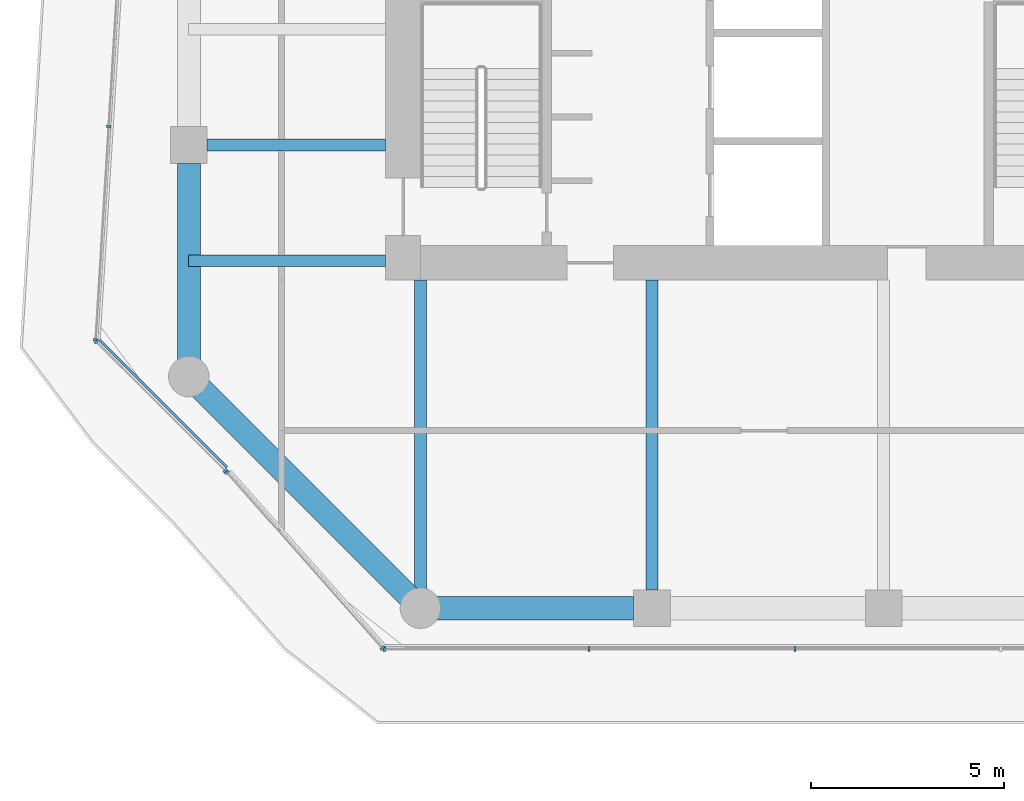
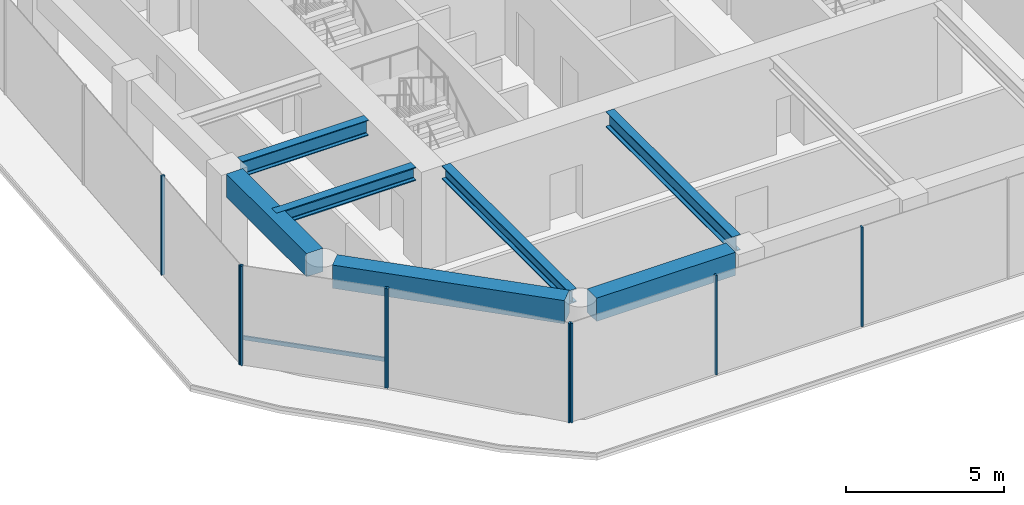
# One storey, part 2 of 27: 10 members, 7 beams, 4 elements without a shape of their own.
"""IFC4 building model written with IfcOpenShell, lengths in metres."""

from ifc_helpers import new_model, si_unit, direction, frame, origin, origin_2d, place, context, subcontext, project, spatial, rectangle, i_section, extrude, material, layer, layer_set, material_profile, profile_set, type_object, element, aggregate, save


model = new_model("IFC4")

# Units and contexts
model_context = context("Model", 3, precision=1e-05, world=origin(), true_north=direction((0.0, 1.0)))
body_context = subcontext(model_context, "Body", "Model", "MODEL_VIEW")
ifc_project = project(units=[si_unit("LENGTHUNIT", "METRE"), si_unit("AREAUNIT", "SQUARE_METRE"), si_unit("VOLUMEUNIT", "CUBIC_METRE"), si_unit("PLANEANGLEUNIT", "RADIAN"), si_unit("MASSUNIT", "GRAM", prefix="KILO")], contexts=[model_context])

# Site, building, storey
site_placement = place(None, origin())
site = spatial("IfcSite", under=ifc_project, at=site_placement, CompositionType="ELEMENT")
building_placement = place(site_placement, origin())
building = spatial("IfcBuilding", under=site, at=building_placement, Name="Welwitschia Terrace Campus", CompositionType="ELEMENT")
storey_placement = place(building_placement, frame((0.0, 0.0, 37.39990234375)))
storey = spatial("IfcBuildingStorey", under=building, at=storey_placement, Name="L08", CompositionType="ELEMENT", Elevation=37.39990234375)

# Beams
ifc_material_1 = material(Name="Steel S355", Category="steel")
ifc_material_profile_1 = material_profile(ifc_material_1, i_section(OverallWidth=0.305908203125, OverallDepth=0.52392578125, WebThickness=0.02099609375, FlangeThickness=0.0400390625, FilletRadius=0.027099609375, at=origin_2d()))
ifc_profile_set_1 = profile_set([ifc_material_profile_1], Name="Steel S355")
beam_type_1 = type_object("IfcBeamType", Name="Interior girder HE 500 M", PredefinedType="BEAM", material=ifc_profile_set_1)
beam_1_placement = place(storey_placement, frame((-0.010009765625, 5.0, 3.588134765625), z_axis=(1.0, 0.0, 0.0), x_axis=(0.0, 1.0, 0.0)))
element("IfcBeam", 1, at=beam_1_placement, inside=storey, type_object=beam_type_1, Name="Girder GB2", PredefinedType="BEAM", context=body_context, shape_type="SweptSolid", body=[
    extrude(i_section(OverallWidth=0.305908203125, OverallDepth=0.52392578125, WebThickness=0.02099609375, FlangeThickness=0.0400390625, FilletRadius=0.027099609375, at=origin_2d()), origin(), (0.0, 0.0, 1.0), 5.109130859375),
])
beam_2_placement = place(storey_placement, frame((6.0, -3.507080078125, 3.588134765625), z_axis=(0.0, 1.0, 0.0), x_axis=(-1.0, 0.0, 0.0)))
element("IfcBeam", 2, at=beam_2_placement, inside=storey, type_object=beam_type_1, Name="Girder GB2", PredefinedType="BEAM", context=body_context, shape_type="SweptSolid", body=[
    extrude(i_section(OverallWidth=0.305908203125, OverallDepth=0.52392578125, WebThickness=0.02099609375, FlangeThickness=0.0400390625, FilletRadius=0.027099609375, at=origin_2d()), origin(), (0.0, 0.0, 1.0), 8.006103515625),
])

# Curtain wall, members
ifc_material_2 = material(Name="Bronze anodised aluminium", Category="aluminium")
ifc_layer = layer(ifc_material_2, 0.1201171875)
ifc_layer_set = layer_set([ifc_layer], Name="Bronze anodised aluminium")
curtain_wall_type = type_object("IfcCurtainWallType", Name="Curtain wall CW2 tower 6000", PredefinedType="NOTDEFINED", material=ifc_layer_set)
curtain_wall_1_placement = place(storey_placement, origin())
curtain_wall_1 = element("IfcCurtainWall", 3, at=curtain_wall_1_placement, inside=storey, type_object=curtain_wall_type, Name="CW L08.0.0", PredefinedType="NOTDEFINED")
ifc_material_3 = material(Name="Bronze anodised aluminium", Category="aluminium")
ifc_material_profile_2 = material_profile(ifc_material_3, rectangle(XDim=0.1201171875, YDim=0.06005859375, at=origin_2d()))
ifc_profile_set_2 = profile_set([ifc_material_profile_2], Name="Bronze anodised aluminium")
member_type_1 = type_object("IfcMemberType", Name="Mullion 60x120", PredefinedType="MULLION", material=ifc_profile_set_2)
member_1_placement = place(storey_placement, frame((-2.07763671875, 8.478759765625, 0.0), z_axis=(0.0, 0.0, 1.0), x_axis=(0.998134798422, -0.061048539535, 0.0)))
member_1 = element("IfcMember", 4, at=member_1_placement, type_object=member_type_1, Name="Mullion L08.0.0.3", PredefinedType="MULLION", context=body_context, shape_type="SweptSolid", body=[
    extrude(rectangle(XDim=0.1201171875, YDim=0.06005859375, at=origin_2d()), origin(), (0.0, 0.0, 1.0), 3.85009765625),
])
member_2_placement = place(storey_placement, frame((-2.415771484375, 2.951416015625, 0.0), z_axis=(0.0, 0.0, 1.0), x_axis=(0.998134798422, -0.061048539535, 0.0)))
member_2 = element("IfcMember", 5, at=member_2_placement, type_object=member_type_1, Name="Mullion L08.0.0.4", PredefinedType="MULLION", context=body_context, shape_type="SweptSolid", body=[
    extrude(rectangle(XDim=0.1201171875, YDim=0.06005859375, at=origin_2d()), origin(), (0.0, 0.0, 1.0), 3.85009765625),
])
aggregate(curtain_wall_1, [member_1, member_2])

curtain_wall_2_placement = place(storey_placement, origin())
curtain_wall_2 = element("IfcCurtainWall", 6, at=curtain_wall_2_placement, inside=storey, type_object=curtain_wall_type, Name="CW L08.1.0", PredefinedType="NOTDEFINED")
member_3_placement = place(storey_placement, frame((-2.396484375, 2.900146484375, 0.0), z_axis=(0.0, 0.0, 1.0), x_axis=(0.707106781187, 0.707106781187, 0.0)))
member_3 = element("IfcMember", 7, at=member_3_placement, type_object=member_type_1, Name="Mullion L08.1.0.0", PredefinedType="MULLION", context=body_context, shape_type="SweptSolid", body=[
    extrude(rectangle(XDim=0.1201171875, YDim=0.06005859375, at=origin_2d()), origin(), (0.0, 0.0, 1.0), 3.85009765625),
])
member_4_placement = place(storey_placement, frame((0.942626953125, -0.438720703125, 0.0), z_axis=(0.0, 0.0, 1.0), x_axis=(0.707106781187, 0.707106781187, 0.0)))
member_4 = element("IfcMember", 8, at=member_4_placement, type_object=member_type_1, Name="Mullion L08.1.0.1", PredefinedType="MULLION", context=body_context, shape_type="SweptSolid", body=[
    extrude(rectangle(XDim=0.1201171875, YDim=0.06005859375, at=origin_2d()), origin(), (0.0, 0.0, 1.0), 3.85009765625),
])

curtain_wall_3_placement = place(storey_placement, origin())
curtain_wall_3 = element("IfcCurtainWall", 9, at=curtain_wall_3_placement, inside=storey, type_object=curtain_wall_type, Name="CW L08.2.0", PredefinedType="NOTDEFINED")
member_5_placement = place(storey_placement, frame((0.983642578125, -0.482421875, 0.0), z_axis=(0.0, 0.0, 1.0), x_axis=(0.748955720789, 0.662620048216, 0.0)))
member_5 = element("IfcMember", 10, at=member_5_placement, type_object=member_type_1, Name="Mullion L08.2.0.0", PredefinedType="MULLION", context=body_context, shape_type="SweptSolid", body=[
    extrude(rectangle(XDim=0.1201171875, YDim=0.06005859375, at=origin_2d()), origin(), (0.0, 0.0, 1.0), 3.85009765625),
])
member_6_placement = place(storey_placement, frame((5.011962890625, -5.03564453125, 0.0), z_axis=(0.0, 0.0, 1.0), x_axis=(0.748955720789, 0.662620048216, 0.0)))
member_6 = element("IfcMember", 11, at=member_6_placement, type_object=member_type_1, Name="Mullion L08.2.0.1", PredefinedType="MULLION", context=body_context, shape_type="SweptSolid", body=[
    extrude(rectangle(XDim=0.1201171875, YDim=0.06005859375, at=origin_2d()), origin(), (0.0, 0.0, 1.0), 3.85009765625),
])
aggregate(curtain_wall_3, [member_5, member_6])

curtain_wall_4_placement = place(storey_placement, origin())
curtain_wall_4 = element("IfcCurtainWall", 12, at=curtain_wall_4_placement, inside=storey, type_object=curtain_wall_type, Name="CW L08.3.0", PredefinedType="NOTDEFINED")
member_7_placement = place(storey_placement, frame((5.061767578125, -5.05810546875, 0.0), z_axis=(0.0, 0.0, 1.0), x_axis=(0.0, 1.0, 0.0)))
member_7 = element("IfcMember", 13, at=member_7_placement, type_object=member_type_1, Name="Mullion L08.3.0.0", PredefinedType="MULLION", context=body_context, shape_type="SweptSolid", body=[
    extrude(rectangle(XDim=0.1201171875, YDim=0.06005859375, at=origin_2d()), origin(), (0.0, 0.0, 1.0), 3.85009765625),
])
member_8_placement = place(storey_placement, frame((10.36669921875, -5.05810546875, 0.0), z_axis=(0.0, 0.0, 1.0), x_axis=(0.0, 1.0, 0.0)))
member_8 = element("IfcMember", 14, at=member_8_placement, type_object=member_type_1, Name="Mullion L08.3.0.1", PredefinedType="MULLION", context=body_context, shape_type="SweptSolid", body=[
    extrude(rectangle(XDim=0.1201171875, YDim=0.06005859375, at=origin_2d()), origin(), (0.0, 0.0, 1.0), 3.85009765625),
])
member_9_placement = place(storey_placement, frame((15.701904296875, -5.05810546875, 0.0), z_axis=(0.0, 0.0, 1.0), x_axis=(0.0, 1.0, 0.0)))
member_9 = element("IfcMember", 15, at=member_9_placement, type_object=member_type_1, Name="Mullion L08.3.0.2", PredefinedType="MULLION", context=body_context, shape_type="SweptSolid", body=[
    extrude(rectangle(XDim=0.1201171875, YDim=0.06005859375, at=origin_2d()), origin(), (0.0, 0.0, 1.0), 3.85009765625),
])
aggregate(curtain_wall_4, [member_7, member_8, member_9])

# Beams
ifc_material_4 = material(Name="Steel S355", Category="steel")
ifc_material_profile_3 = material_profile(ifc_material_4, i_section(OverallWidth=0.300048828125, OverallDepth=0.60009765625, WebThickness=0.015380859375, FlangeThickness=0.030029296875, FilletRadius=0.027099609375, at=origin_2d()))
ifc_profile_set_3 = profile_set([ifc_material_profile_3], Name="Steel S355")
beam_type_2 = type_object("IfcBeamType", Name="Primary beam HE 600 B", PredefinedType="BEAM", material=ifc_profile_set_3)
beam_3_placement = place(storey_placement, frame((12.0, -3.5244140625, 3.550048828125), z_axis=(0.0, 1.0, 0.0), x_axis=(-1.0, 0.0, 0.0)))
element("IfcBeam", 16, at=beam_3_placement, inside=storey, type_object=beam_type_2, Name="Primary beam PB2", PredefinedType="BEAM", context=body_context, shape_type="SweptSolid", body=[
    extrude(i_section(OverallWidth=0.300048828125, OverallDepth=0.60009765625, WebThickness=0.015380859375, FlangeThickness=0.030029296875, FilletRadius=0.027099609375, at=origin_2d()), origin(), (0.0, 0.0, 1.0), 8.0244140625),
])
beam_4_placement = place(storey_placement, frame((0.4755859375, 8.0, 3.550048828125), z_axis=(1.0, 0.0, 0.0), x_axis=(0.0, 1.0, 0.0)))
element("IfcBeam", 17, at=beam_4_placement, inside=storey, type_object=beam_type_2, Name="Primary beam PB2", PredefinedType="BEAM", context=body_context, shape_type="SweptSolid", body=[
    extrude(i_section(OverallWidth=0.300048828125, OverallDepth=0.60009765625, WebThickness=0.015380859375, FlangeThickness=0.030029296875, FilletRadius=0.027099609375, at=origin_2d()), origin(), (0.0, 0.0, 1.0), 4.62451171875),
])
ifc_material_5 = material(Name="Concrete C60/75", Category="concrete")
ifc_material_profile_4 = material_profile(ifc_material_5, rectangle(XDim=0.60009765625, YDim=0.89990234375, at=origin_2d()))
ifc_profile_set_4 = profile_set([ifc_material_profile_4], Name="Concrete C60/75")
beam_type_3 = type_object("IfcBeamType", Name="Ring spandrel 600x900", PredefinedType="SPANDREL", material=ifc_profile_set_4)
beam_5_placement = place(storey_placement, frame((0.30517578125, 1.69482421875, 3.400146484375), z_axis=(0.707106781187, -0.707106781187, 0.0), x_axis=(0.707106781187, 0.707106781187, 0.0)))
element("IfcBeam", 18, at=beam_5_placement, inside=storey, type_object=beam_type_3, Name="Spandrel SP2", PredefinedType="SPANDREL", context=body_context, shape_type="SweptSolid", body=[
    extrude(rectangle(XDim=0.60009765625, YDim=0.89990234375, at=origin_2d()), origin(), (0.0, 0.0, 1.0), 7.6220703125),
])
for number, where, z_axis, x_axis, name in (
    (19, (6.431396484375, -4.0, 3.400146484375), (1.0, 0.0, 0.0), (0.0, 1.0, 0.0), "Spandrel SP2"),
    (20, (0.0, 7.5244140625, 3.400146484375), (0.0, -1.0, 0.0), (1.0, 0.0, 0.0), "Spandrel SP2"),
):
    element("IfcBeam", number, at=place(storey_placement, frame(where, z_axis=z_axis, x_axis=x_axis)), inside=storey, type_object=beam_type_3, Name=name, PredefinedType="SPANDREL", context=body_context, shape_type="SweptSolid", body=[
        extrude(rectangle(XDim=0.60009765625, YDim=0.89990234375, at=origin_2d()), origin(), (0.0, 0.0, 1.0), 5.093017578125),
    ])

# Member
ifc_material_6 = material(Name="Bronze anodised aluminium", Category="aluminium")
ifc_material_profile_5 = material_profile(ifc_material_6, rectangle(XDim=0.06005859375, YDim=0.14990234375, at=origin_2d()))
ifc_profile_set_5 = profile_set([ifc_material_profile_5], Name="Bronze anodised aluminium")
member_type_2 = type_object("IfcMemberType", Name="Transom 60x150", PredefinedType="USERDEFINED", material=ifc_profile_set_5)
member_10_placement = place(storey_placement, frame((-2.3115234375, 2.942626953125, 1.0), z_axis=(0.707080596411, -0.707132964993, 0.0), x_axis=(0.707132964993, 0.707080596411, 0.0)))
member_10 = element("IfcMember", 21, at=member_10_placement, type_object=member_type_2, Name="Transom L08.1.0", ObjectType="TRANSOM", PredefinedType="USERDEFINED", context=body_context, shape_type="SweptSolid", body=[
    extrude(rectangle(XDim=0.06005859375, YDim=0.14990234375, at=origin_2d()), origin(), (0.0, 0.0, 1.0), 4.661865234375),
])

aggregate(curtain_wall_2, [member_3, member_4, member_10])

save(model, "model.ifc")
